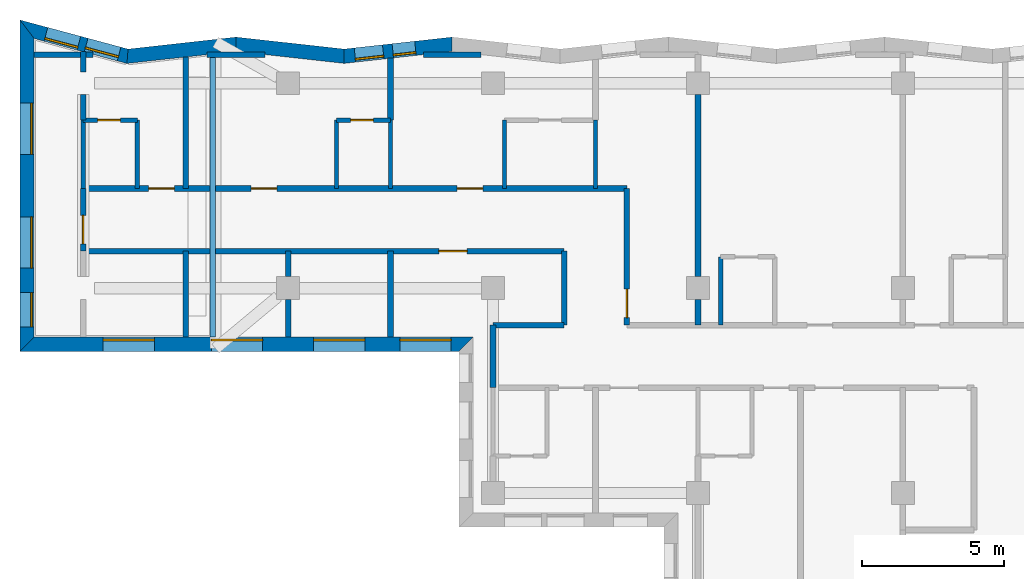
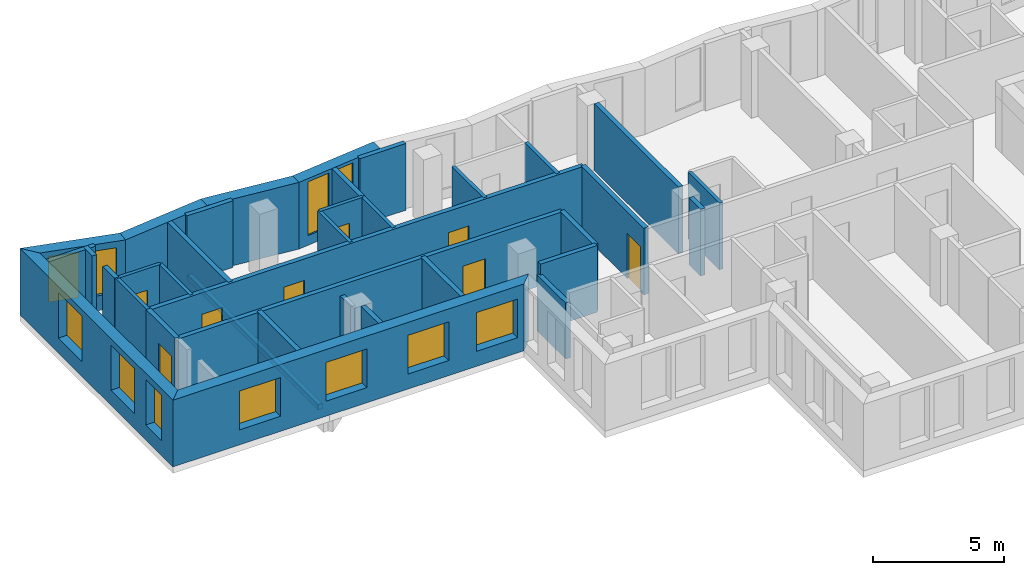
# One storey, part 5 of 13: 36 walls, 11 windows, 8 doors, 19 openings.
"""IFC4 building model written with IfcOpenShell, lengths in metres."""

from ifc_helpers import new_model, si_unit, direction, frame, frame_2d, origin, place, context, subcontext, project, spatial, polyline, rectangle, outline, extrude, material, layer, layer_set, type_object, element, fill, save


model = new_model("IFC4")

# Units and contexts
model_context = context("Model", 3, precision=1e-05, world=origin(), true_north=direction((0.0, 1.0)))
body_context = subcontext(model_context, "Body", "Model", "MODEL_VIEW")
ifc_project = project(units=[si_unit("LENGTHUNIT", "METRE"), si_unit("AREAUNIT", "SQUARE_METRE"), si_unit("VOLUMEUNIT", "CUBIC_METRE"), si_unit("PLANEANGLEUNIT", "RADIAN"), si_unit("MASSUNIT", "GRAM", prefix="KILO")], contexts=[model_context])

# Site, building, storey
site_placement = place(None, origin())
site = spatial("IfcSite", under=ifc_project, at=site_placement, CompositionType="ELEMENT")
building_placement = place(site_placement, origin())
building = spatial("IfcBuilding", under=site, at=building_placement, Name="Windrow Commons", CompositionType="ELEMENT")
storey_placement = place(building_placement, frame((0.0, 0.0, 203.2)))
storey = spatial("IfcBuildingStorey", under=building, at=storey_placement, Name="L55", CompositionType="ELEMENT", Elevation=203.2)

# Wall, openings, windows
ifc_material_1 = material(Name="Brick masonry, red clay brick", Category="masonry")
ifc_layer_1 = layer(ifc_material_1, 0.5)
ifc_layer_set_1 = layer_set([ifc_layer_1], Name="Brick facade wall 500")
wall_type_1 = type_object("IfcWallType", Name="Brick facade wall 500", PredefinedType="SOLIDWALL", material=ifc_layer_set_1)
wall_1_placement = place(storey_placement, frame((34.5643, 73.3695, 0.0), z_axis=(0.0, 0.0, 1.0), x_axis=(-0.993907338, -0.1102188888, 0.0)))
wall_1 = element("IfcWall", 1, at=wall_1_placement, inside=storey, type_object=wall_type_1, Name="Brick facade wall L55 29", PredefinedType="SOLIDWALL", context=body_context, shape_type="SweptSolid", body=[
    extrude(outline(polyline([(-0.0277, -0.25), (3.7919, -0.25), (3.8473, 0.25), (0.0277, 0.25), (-0.0277, -0.25)])), origin(), (0.0, 0.0, 1.0), 3.1),
])
opening_1_placement = place(wall_1_placement, frame((1.2983, 0.0, 0.45)))
opening_1 = element("IfcOpeningElement", 2, at=opening_1_placement, cuts=wall_1, Name="Opening W1N", PredefinedType="OPENING", context=body_context, shape_type="SweptSolid", body=[
    extrude(rectangle(XDim=0.8, YDim=2.5, at=frame_2d((0.4, 1.25))), frame((0.0, 0.26, 0.0), z_axis=(0.0, -1.0, 0.0), x_axis=(1.0, 0.0, 0.0)), (0.0, 0.0, 1.0), 0.52),
])
opening_2_placement = place(wall_1_placement, frame((2.4373, 0.0, 0.45)))
opening_2 = element("IfcOpeningElement", 3, at=opening_2_placement, cuts=wall_1, Name="Opening W1S", PredefinedType="OPENING", context=body_context, shape_type="SweptSolid", body=[
    extrude(rectangle(XDim=1.0, YDim=2.5, at=frame_2d((0.5, 1.25))), frame((0.0, 0.26, 0.0), z_axis=(0.0, -1.0, 0.0), x_axis=(1.0, 0.0, 0.0)), (0.0, 0.0, 1.0), 0.52),
])
ifc_material_2 = material(Name="Clear float glass in anodised aluminium frame", Category="aluminium")
window_type_1 = type_object("IfcWindowType", Name="Window W1N slit 800x2500", PartitioningType="SINGLE_PANEL", PredefinedType="WINDOW", material=ifc_material_2)
window_1_placement = place(opening_1_placement, origin())
window_1 = element("IfcWindow", 4, at=window_1_placement, inside=storey, type_object=window_type_1, Name="Window L55 29.1A", OverallHeight=2.5, OverallWidth=0.8, PartitioningType="SINGLE_PANEL", PredefinedType="WINDOW", context=body_context, shape_type="SweptSolid", body=[
    extrude(rectangle(XDim=0.8, YDim=2.5, at=frame_2d((0.4, 1.25))), frame((0.0, 0.18, 0.0), z_axis=(0.0, -1.0, 0.0), x_axis=(1.0, 0.0, 0.0)), (0.0, 0.0, 1.0), 0.06),
])
fill(opening_1, window_1)
ifc_material_3 = material(Name="Clear float glass in anodised aluminium frame", Category="aluminium")
window_type_2 = type_object("IfcWindowType", Name="Window W1S slit 1000x2500", PartitioningType="SINGLE_PANEL", PredefinedType="WINDOW", material=ifc_material_3)
window_2_placement = place(opening_2_placement, origin())
window_2 = element("IfcWindow", 5, at=window_2_placement, inside=storey, type_object=window_type_2, Name="Window L55 29.2A", OverallHeight=2.5, OverallWidth=1.0, PartitioningType="SINGLE_PANEL", PredefinedType="WINDOW", context=body_context, shape_type="SweptSolid", body=[
    extrude(rectangle(XDim=1.0, YDim=2.5, at=frame_2d((0.5, 1.25))), frame((0.0, 0.18, 0.0), z_axis=(0.0, -1.0, 0.0), x_axis=(1.0, 0.0, 0.0)), (0.0, 0.0, 1.0), 0.06),
])
fill(opening_2, window_2)

# Walls
wall_2_placement = place(storey_placement, frame((30.7679, 72.9485, 0.0), z_axis=(0.0, 0.0, 1.0), x_axis=(-0.99390702, 0.1102217568, 0.0)))
element("IfcWall", 6, at=wall_2_placement, inside=storey, type_object=wall_type_1, Name="Brick facade wall L55 30", PredefinedType="SOLIDWALL", context=body_context, shape_type="SweptSolid", body=[
    extrude(outline(polyline([(0.0277, -0.25), (3.8473, -0.25), (3.7919, 0.25), (-0.0277, 0.25), (0.0277, -0.25)])), origin(), (0.0, 0.0, 1.0), 3.1),
])
wall_3_placement = place(storey_placement, frame((26.9716, 73.3695, 0.0), z_axis=(0.0, 0.0, 1.0), x_axis=(-0.9939053168, -0.1102371135, 0.0)))
element("IfcWall", 7, at=wall_3_placement, inside=storey, type_object=wall_type_1, Name="Brick facade wall L55 31", PredefinedType="SOLIDWALL", context=body_context, shape_type="SweptSolid", body=[
    extrude(outline(polyline([(-0.0277, -0.25), (3.7919, -0.25), (3.8863, 0.25), (0.0277, 0.25), (-0.0277, -0.25)])), origin(), (0.0, 0.0, 1.0), 3.1),
])

# Wall, openings, windows
wall_4_placement = place(storey_placement, frame((23.156, 72.9463, 0.0), z_axis=(0.0, 0.0, 1.0), x_axis=(-0.9656828727, 0.2597240638, 0.0)))
wall_4 = element("IfcWall", 8, at=wall_4_placement, inside=storey, type_object=wall_type_1, Name="Brick facade wall L55 32", PredefinedType="SOLIDWALL", context=body_context, shape_type="SweptSolid", body=[
    extrude(outline(polyline([(0.0472, -0.25), (3.9784, -0.25), (3.3262, 0.25), (-0.0472, 0.25), (0.0472, -0.25)])), origin(), (0.0, 0.0, 1.0), 3.1),
])
opening_3_placement = place(wall_4_placement, frame((0.3056, 0.0, 0.7)))
opening_3 = element("IfcOpeningElement", 9, at=opening_3_placement, cuts=wall_4, Name="Opening W7B", PredefinedType="OPENING", context=body_context, shape_type="SweptSolid", body=[
    extrude(rectangle(XDim=1.2, YDim=2.1, at=frame_2d((0.6, 1.05))), frame((0.0, 0.26, 0.0), z_axis=(0.0, -1.0, 0.0), x_axis=(1.0, 0.0, 0.0)), (0.0, 0.0, 1.0), 0.52),
])
opening_4_placement = place(wall_4_placement, frame((1.7687, 0.0, 0.7)))
opening_4 = element("IfcOpeningElement", 10, at=opening_4_placement, cuts=wall_4, Name="Opening W7B", PredefinedType="OPENING", context=body_context, shape_type="SweptSolid", body=[
    extrude(rectangle(XDim=1.2, YDim=2.1, at=frame_2d((0.6, 1.05))), frame((0.0, 0.26, 0.0), z_axis=(0.0, -1.0, 0.0), x_axis=(1.0, 0.0, 0.0)), (0.0, 0.0, 1.0), 0.52),
])
ifc_material_4 = material(Name="Clear float glass in anodised aluminium frame", Category="aluminium")
window_type_3 = type_object("IfcWindowType", Name="Window W7 notch 1200x2100", PartitioningType="SINGLE_PANEL", PredefinedType="WINDOW", material=ifc_material_4)
window_3_placement = place(opening_3_placement, origin())
window_3 = element("IfcWindow", 11, at=window_3_placement, inside=storey, type_object=window_type_3, Name="Window L55 32.1", OverallHeight=2.1, OverallWidth=1.2, PartitioningType="SINGLE_PANEL", PredefinedType="WINDOW", context=body_context, shape_type="SweptSolid", body=[
    extrude(rectangle(XDim=1.2, YDim=2.1, at=frame_2d((0.6, 1.05))), frame((0.0, 0.13, 0.0), z_axis=(0.0, -1.0, 0.0), x_axis=(1.0, 0.0, 0.0)), (0.0, 0.0, 1.0), 0.06),
])
fill(opening_3, window_3)
window_4_placement = place(opening_4_placement, origin())
window_4 = element("IfcWindow", 12, at=window_4_placement, inside=storey, type_object=window_type_3, Name="Window L55 32.2", OverallHeight=2.1, OverallWidth=1.2, PartitioningType="SINGLE_PANEL", PredefinedType="WINDOW", context=body_context, shape_type="SweptSolid", body=[
    extrude(rectangle(XDim=1.2, YDim=2.1, at=frame_2d((0.6, 1.05))), frame((0.0, 0.18, 0.0), z_axis=(0.0, -1.0, 0.0), x_axis=(1.0, 0.0, 0.0)), (0.0, 0.0, 1.0), 0.06),
])
fill(opening_4, window_4)

wall_5_placement = place(storey_placement, frame((19.629, 73.8949, 0.0), z_axis=(0.0, 0.0, 1.0), x_axis=(0.0, -1.0, 0.0)))
wall_5 = element("IfcWall", 13, at=wall_5_placement, inside=storey, type_object=wall_type_1, Name="Brick facade wall L55 33", PredefinedType="SOLIDWALL", context=body_context, shape_type="SweptSolid", body=[
    extrude(outline(polyline([(-0.3261, -0.25), (11.3159, -0.25), (10.8159, 0.25), (0.3261, 0.25), (-0.3261, -0.25)])), origin(), (0.0, 0.0, 1.0), 3.1),
])
opening_5_placement = place(wall_5_placement, frame((2.5949, 0.0, 0.7)))
opening_5 = element("IfcOpeningElement", 14, at=opening_5_placement, cuts=wall_5, Name="Opening W1B", PredefinedType="OPENING", context=body_context, shape_type="SweptSolid", body=[
    extrude(rectangle(XDim=1.8, YDim=2.1, at=frame_2d((0.9, 1.05))), frame((0.0, 0.26, 0.0), z_axis=(0.0, -1.0, 0.0), x_axis=(1.0, 0.0, 0.0)), (0.0, 0.0, 1.0), 0.52),
])
opening_6_placement = place(wall_5_placement, frame((6.5949, 0.0, 0.7)))
opening_6 = element("IfcOpeningElement", 15, at=opening_6_placement, cuts=wall_5, Name="Opening W1B", PredefinedType="OPENING", context=body_context, shape_type="SweptSolid", body=[
    extrude(rectangle(XDim=1.8, YDim=2.1, at=frame_2d((0.9, 1.05))), frame((0.0, 0.26, 0.0), z_axis=(0.0, -1.0, 0.0), x_axis=(1.0, 0.0, 0.0)), (0.0, 0.0, 1.0), 0.52),
])
opening_7_placement = place(wall_5_placement, frame((9.2554, 0.0, 0.7)))
opening_7 = element("IfcOpeningElement", 16, at=opening_7_placement, cuts=wall_5, Name="Opening W7B", PredefinedType="OPENING", context=body_context, shape_type="SweptSolid", body=[
    extrude(rectangle(XDim=1.2, YDim=2.1, at=frame_2d((0.6, 1.05))), frame((0.0, 0.26, 0.0), z_axis=(0.0, -1.0, 0.0), x_axis=(1.0, 0.0, 0.0)), (0.0, 0.0, 1.0), 0.52),
])
ifc_material_5 = material(Name="Clear float glass in anodised aluminium frame", Category="aluminium")
window_type_4 = type_object("IfcWindowType", Name="Window W1 bedroom 1800x2100", PartitioningType="SINGLE_PANEL", PredefinedType="WINDOW", material=ifc_material_5)
window_5_placement = place(opening_5_placement, origin())
window_5 = element("IfcWindow", 17, at=window_5_placement, inside=storey, type_object=window_type_4, Name="Window L55 33.1", OverallHeight=2.1, OverallWidth=1.8, PartitioningType="SINGLE_PANEL", PredefinedType="WINDOW", context=body_context, shape_type="SweptSolid", body=[
    extrude(rectangle(XDim=1.8, YDim=2.1, at=frame_2d((0.9, 1.05))), frame((0.0, 0.18, 0.0), z_axis=(0.0, -1.0, 0.0), x_axis=(1.0, 0.0, 0.0)), (0.0, 0.0, 1.0), 0.06),
])
fill(opening_5, window_5)
window_6_placement = place(opening_6_placement, origin())
window_6 = element("IfcWindow", 18, at=window_6_placement, inside=storey, type_object=window_type_4, Name="Window L55 33.2", OverallHeight=2.1, OverallWidth=1.8, PartitioningType="SINGLE_PANEL", PredefinedType="WINDOW", context=body_context, shape_type="SweptSolid", body=[
    extrude(rectangle(XDim=1.8, YDim=2.1, at=frame_2d((0.9, 1.05))), frame((0.0, 0.18, 0.0), z_axis=(0.0, -1.0, 0.0), x_axis=(1.0, 0.0, 0.0)), (0.0, 0.0, 1.0), 0.06),
])
fill(opening_6, window_6)
window_7_placement = place(opening_7_placement, origin())
window_7 = element("IfcWindow", 19, at=window_7_placement, inside=storey, type_object=window_type_3, Name="Window L55 33.3", OverallHeight=2.1, OverallWidth=1.2, PartitioningType="SINGLE_PANEL", PredefinedType="WINDOW", context=body_context, shape_type="SweptSolid", body=[
    extrude(rectangle(XDim=1.2, YDim=2.1, at=frame_2d((0.6, 1.05))), frame((0.0, 0.18, 0.0), z_axis=(0.0, -1.0, 0.0), x_axis=(1.0, 0.0, 0.0)), (0.0, 0.0, 1.0), 0.06),
])
fill(opening_7, window_7)

wall_6_placement = place(storey_placement, frame((19.629, 62.829, 0.0), z_axis=(0.0, 0.0, 1.0), x_axis=(1.0, 0.0, 0.0)))
wall_6 = element("IfcWall", 20, at=wall_6_placement, inside=storey, type_object=wall_type_1, Name="Brick facade wall L55 34", PredefinedType="SOLIDWALL", context=body_context, shape_type="SweptSolid", body=[
    extrude(outline(polyline([(-0.25, -0.25), (15.171, -0.25), (15.671, 0.25), (0.25, 0.25), (-0.25, -0.25)])), origin(), (0.0, 0.0, 1.0), 3.1),
])
opening_8_placement = place(wall_6_placement, frame((2.671, 0.0, 0.7)))
opening_8 = element("IfcOpeningElement", 21, at=opening_8_placement, cuts=wall_6, Name="Opening W1M", PredefinedType="OPENING", context=body_context, shape_type="SweptSolid", body=[
    extrude(rectangle(XDim=1.8, YDim=1.8, at=frame_2d((0.9, 0.9))), frame((0.0, 0.26, 0.0), z_axis=(0.0, -1.0, 0.0), x_axis=(1.0, 0.0, 0.0)), (0.0, 0.0, 1.0), 0.52),
])
opening_9_placement = place(wall_6_placement, frame((6.471, 0.0, 0.7)))
opening_9 = element("IfcOpeningElement", 22, at=opening_9_placement, cuts=wall_6, Name="Opening W1M", PredefinedType="OPENING", context=body_context, shape_type="SweptSolid", body=[
    extrude(rectangle(XDim=1.8, YDim=1.8, at=frame_2d((0.9, 0.9))), frame((0.0, 0.26, 0.0), z_axis=(0.0, -1.0, 0.0), x_axis=(1.0, 0.0, 0.0)), (0.0, 0.0, 1.0), 0.52),
])
opening_10_placement = place(wall_6_placement, frame((10.071, 0.0, 0.7)))
opening_10 = element("IfcOpeningElement", 23, at=opening_10_placement, cuts=wall_6, Name="Opening W1M", PredefinedType="OPENING", context=body_context, shape_type="SweptSolid", body=[
    extrude(rectangle(XDim=1.8, YDim=1.8, at=frame_2d((0.9, 0.9))), frame((0.0, 0.26, 0.0), z_axis=(0.0, -1.0, 0.0), x_axis=(1.0, 0.0, 0.0)), (0.0, 0.0, 1.0), 0.52),
])
opening_11_placement = place(wall_6_placement, frame((13.096, 0.0, 0.7)))
opening_11 = element("IfcOpeningElement", 24, at=opening_11_placement, cuts=wall_6, Name="Opening W1M", PredefinedType="OPENING", context=body_context, shape_type="SweptSolid", body=[
    extrude(rectangle(XDim=1.8, YDim=1.8, at=frame_2d((0.9, 0.9))), frame((0.0, 0.26, 0.0), z_axis=(0.0, -1.0, 0.0), x_axis=(1.0, 0.0, 0.0)), (0.0, 0.0, 1.0), 0.52),
])
ifc_material_6 = material(Name="Clear float glass in anodised aluminium frame", Category="aluminium")
window_type_5 = type_object("IfcWindowType", Name="Window W1M bedroom 1800x1800", PartitioningType="SINGLE_PANEL", PredefinedType="WINDOW", material=ifc_material_6)
window_8_placement = place(opening_8_placement, origin())
window_8 = element("IfcWindow", 25, at=window_8_placement, inside=storey, type_object=window_type_5, Name="Window L55 34.1", OverallHeight=1.8, OverallWidth=1.8, PartitioningType="SINGLE_PANEL", PredefinedType="WINDOW", context=body_context, shape_type="SweptSolid", body=[
    extrude(rectangle(XDim=1.8, YDim=1.8, at=frame_2d((0.9, 0.9))), frame((0.0, 0.18, 0.0), z_axis=(0.0, -1.0, 0.0), x_axis=(1.0, 0.0, 0.0)), (0.0, 0.0, 1.0), 0.06),
])
fill(opening_8, window_8)
window_9_placement = place(opening_9_placement, origin())
window_9 = element("IfcWindow", 26, at=window_9_placement, inside=storey, type_object=window_type_5, Name="Window L55 34.2", OverallHeight=1.8, OverallWidth=1.8, PartitioningType="SINGLE_PANEL", PredefinedType="WINDOW", context=body_context, shape_type="SweptSolid", body=[
    extrude(rectangle(XDim=1.8, YDim=1.8, at=frame_2d((0.9, 0.9))), frame((0.0, 0.18, 0.0), z_axis=(0.0, -1.0, 0.0), x_axis=(1.0, 0.0, 0.0)), (0.0, 0.0, 1.0), 0.06),
])
fill(opening_9, window_9)
window_10_placement = place(opening_10_placement, origin())
window_10 = element("IfcWindow", 27, at=window_10_placement, inside=storey, type_object=window_type_5, Name="Window L55 34.3", OverallHeight=1.8, OverallWidth=1.8, PartitioningType="SINGLE_PANEL", PredefinedType="WINDOW", context=body_context, shape_type="SweptSolid", body=[
    extrude(rectangle(XDim=1.8, YDim=1.8, at=frame_2d((0.9, 0.9))), frame((0.0, 0.18, 0.0), z_axis=(0.0, -1.0, 0.0), x_axis=(1.0, 0.0, 0.0)), (0.0, 0.0, 1.0), 0.06),
])
fill(opening_10, window_10)
window_11_placement = place(opening_11_placement, origin())
window_11 = element("IfcWindow", 28, at=window_11_placement, inside=storey, type_object=window_type_5, Name="Window L55 34.4", OverallHeight=1.8, OverallWidth=1.8, PartitioningType="SINGLE_PANEL", PredefinedType="WINDOW", context=body_context, shape_type="SweptSolid", body=[
    extrude(rectangle(XDim=1.8, YDim=1.8, at=frame_2d((0.9, 0.9))), frame((0.0, 0.18, 0.0), z_axis=(0.0, -1.0, 0.0), x_axis=(1.0, 0.0, 0.0)), (0.0, 0.0, 1.0), 0.06),
])
fill(opening_11, window_11)

# Wall, openings, doors
ifc_material_7 = material(Name="Blockwork partition", Category="masonry")
ifc_layer_2 = layer(ifc_material_7, 0.2)
ifc_layer_set_2 = layer_set([ifc_layer_2], Name="IW-CORRIDOR-200")
wall_type_2 = type_object("IfcWallType", Name="IW-CORRIDOR-200", PredefinedType="PARTITIONING", material=ifc_layer_set_2)
wall_7_placement = place(storey_placement, frame((21.6, 68.3, 0.0), z_axis=(0.0, 0.0, 1.0), x_axis=(1.0, 0.0, 0.0)))
wall_7 = element("IfcWall", 29, at=wall_7_placement, inside=storey, type_object=wall_type_2, Name="W-L55-W002", PredefinedType="PARTITIONING", context=body_context, shape_type="SweptSolid", body=[
    extrude(rectangle(XDim=19.1, YDim=0.2, at=frame_2d((9.55, 0.0))), origin(), (0.0, 0.0, 1.0), 3.1),
])
opening_12_placement = place(wall_7_placement, frame((2.3, 0.0, 0.0)))
opening_12 = element("IfcOpeningElement", 30, at=opening_12_placement, cuts=wall_7, Name="Opening D109S", PredefinedType="OPENING", context=body_context, shape_type="SweptSolid", body=[
    extrude(rectangle(XDim=0.9, YDim=2.1, at=frame_2d((0.45, 1.05))), frame((0.0, 0.11, 0.0), z_axis=(0.0, -1.0, 0.0), x_axis=(1.0, 0.0, 0.0)), (0.0, 0.0, 1.0), 0.22),
])
opening_13_placement = place(wall_7_placement, frame((5.9006, 0.0, 0.0)))
opening_13 = element("IfcOpeningElement", 31, at=opening_13_placement, cuts=wall_7, Name="Opening D109F", PredefinedType="OPENING", context=body_context, shape_type="SweptSolid", body=[
    extrude(rectangle(XDim=0.9, YDim=2.1, at=frame_2d((0.45, 1.05))), frame((0.0, 0.11, 0.0), z_axis=(0.0, -1.0, 0.0), x_axis=(1.0, 0.0, 0.0)), (0.0, 0.0, 1.0), 0.22),
])
opening_14_placement = place(wall_7_placement, frame((13.1393, 0.0, 0.0)))
opening_14 = element("IfcOpeningElement", 32, at=opening_14_placement, cuts=wall_7, Name="Opening D109F", PredefinedType="OPENING", context=body_context, shape_type="SweptSolid", body=[
    extrude(rectangle(XDim=0.9, YDim=2.1, at=frame_2d((0.45, 1.05))), frame((0.0, 0.11, 0.0), z_axis=(0.0, -1.0, 0.0), x_axis=(1.0, 0.0, 0.0)), (0.0, 0.0, 1.0), 0.22),
])
ifc_material_8 = material(Name="Timber door leaf", Category="wood")
door_type_1 = type_object("IfcDoorType", Name="DT-BEDROOM-900", OperationType="SINGLE_SWING_LEFT", PredefinedType="DOOR", material=ifc_material_8)
door_1_placement = place(opening_12_placement, origin())
door_1 = element("IfcDoor", 33, at=door_1_placement, inside=storey, type_object=door_type_1, Name="D-L55-D002", OperationType="SINGLE_SWING_RIGHT", OverallHeight=2.1, OverallWidth=0.9, PredefinedType="DOOR", context=body_context, shape_type="SweptSolid", body=[
    extrude(rectangle(XDim=0.9, YDim=2.1, at=frame_2d((0.45, 1.05))), frame((0.0, 0.025, 0.0), z_axis=(0.0, -1.0, 0.0), x_axis=(1.0, 0.0, 0.0)), (0.0, 0.0, 1.0), 0.05),
])
fill(opening_12, door_1)
door_2_placement = place(opening_13_placement, origin())
door_2 = element("IfcDoor", 34, at=door_2_placement, inside=storey, type_object=door_type_1, Name="D-L55-D004", OperationType="SINGLE_SWING_LEFT", OverallHeight=2.1, OverallWidth=0.9, PredefinedType="DOOR", context=body_context, shape_type="SweptSolid", body=[
    extrude(rectangle(XDim=0.9, YDim=2.1, at=frame_2d((0.45, 1.05))), frame((0.0, 0.025, 0.0), z_axis=(0.0, -1.0, 0.0), x_axis=(1.0, 0.0, 0.0)), (0.0, 0.0, 1.0), 0.05),
])
fill(opening_13, door_2)
door_3_placement = place(opening_14_placement, origin())
door_3 = element("IfcDoor", 35, at=door_3_placement, inside=storey, type_object=door_type_1, Name="D-L55-D006", OperationType="SINGLE_SWING_LEFT", OverallHeight=2.1, OverallWidth=0.9, PredefinedType="DOOR", context=body_context, shape_type="SweptSolid", body=[
    extrude(rectangle(XDim=0.9, YDim=2.1, at=frame_2d((0.45, 1.05))), frame((0.0, 0.025, 0.0), z_axis=(0.0, -1.0, 0.0), x_axis=(1.0, 0.0, 0.0)), (0.0, 0.0, 1.0), 0.05),
])
fill(opening_14, door_3)

# Wall, opening, door
wall_8_placement = place(storey_placement, frame((21.6, 66.1, 0.0), z_axis=(0.0, 0.0, 1.0), x_axis=(1.0, 0.0, 0.0)))
wall_8 = element("IfcWall", 36, at=wall_8_placement, inside=storey, type_object=wall_type_2, Name="W-L55-W003", PredefinedType="PARTITIONING", context=body_context, shape_type="SweptSolid", body=[
    extrude(rectangle(XDim=16.9, YDim=0.2, at=frame_2d((8.45, 0.0))), origin(), (0.0, 0.0, 1.0), 3.1),
])
opening_15_placement = place(wall_8_placement, frame((12.4933, 0.0, 0.0)))
opening_15 = element("IfcOpeningElement", 37, at=opening_15_placement, cuts=wall_8, Name="Opening D310F", PredefinedType="OPENING", context=body_context, shape_type="SweptSolid", body=[
    extrude(rectangle(XDim=1.0, YDim=2.1, at=frame_2d((0.5, 1.05))), frame((0.0, 0.11, 0.0), z_axis=(0.0, -1.0, 0.0), x_axis=(1.0, 0.0, 0.0)), (0.0, 0.0, 1.0), 0.22),
])
ifc_material_9 = material(Name="Timber door leaf", Category="wood")
door_type_2 = type_object("IfcDoorType", Name="DT-AMENITY-1000", OperationType="SINGLE_SWING_LEFT", PredefinedType="DOOR", material=ifc_material_9)
door_4_placement = place(opening_15_placement, origin())
door_4 = element("IfcDoor", 38, at=door_4_placement, inside=storey, type_object=door_type_2, Name="D-L55-D011", OperationType="SINGLE_SWING_RIGHT", OverallHeight=2.1, OverallWidth=1.0, PredefinedType="DOOR", context=body_context, shape_type="SweptSolid", body=[
    extrude(rectangle(XDim=1.0, YDim=2.1, at=frame_2d((0.5, 1.05))), frame((0.0, 0.025, 0.0), z_axis=(0.0, -1.0, 0.0), x_axis=(1.0, 0.0, 0.0)), (0.0, 0.0, 1.0), 0.05),
])
fill(opening_15, door_4)

wall_9_placement = place(storey_placement, frame((40.7, 63.502, 0.0), z_axis=(0.0, 0.0, 1.0), x_axis=(0.0, 1.0, 0.0)))
wall_9 = element("IfcWall", 39, at=wall_9_placement, inside=storey, type_object=wall_type_2, Name="W-L55-W029", PredefinedType="PARTITIONING", context=body_context, shape_type="SweptSolid", body=[
    extrude(rectangle(XDim=4.798, YDim=0.2, at=frame_2d((2.399, 0.0))), origin(), (0.0, 0.0, 1.0), 3.1),
])
opening_16_placement = place(wall_9_placement, frame((0.2621, 0.0, 0.0)))
opening_16 = element("IfcOpeningElement", 40, at=opening_16_placement, cuts=wall_9, Name="Opening D310F", PredefinedType="OPENING", context=body_context, shape_type="SweptSolid", body=[
    extrude(rectangle(XDim=1.0, YDim=2.1, at=frame_2d((0.5, 1.05))), frame((0.0, 0.11, 0.0), z_axis=(0.0, -1.0, 0.0), x_axis=(1.0, 0.0, 0.0)), (0.0, 0.0, 1.0), 0.22),
])
door_5_placement = place(opening_16_placement, origin())
door_5 = element("IfcDoor", 41, at=door_5_placement, inside=storey, type_object=door_type_2, Name="D-L55-D014", OperationType="SINGLE_SWING_LEFT", OverallHeight=2.1, OverallWidth=1.0, PredefinedType="DOOR", context=body_context, shape_type="SweptSolid", body=[
    extrude(rectangle(XDim=1.0, YDim=2.1, at=frame_2d((0.5, 1.05))), frame((0.0, 0.025, 0.0), z_axis=(0.0, -1.0, 0.0), x_axis=(1.0, 0.0, 0.0)), (0.0, 0.0, 1.0), 0.05),
])
fill(opening_16, door_5)

# Walls
wall_10_placement = place(storey_placement, frame((38.5, 63.502, 0.0), z_axis=(0.0, 0.0, 1.0), x_axis=(0.0, 1.0, 0.0)))
element("IfcWall", 42, at=wall_10_placement, inside=storey, type_object=wall_type_2, Name="W-L55-W053", PredefinedType="PARTITIONING", context=body_context, shape_type="SweptSolid", body=[
    extrude(rectangle(XDim=2.596, YDim=0.2, at=frame_2d((1.298, 0.0))), origin(), (0.0, 0.0, 1.0), 3.1),
])
wall_11_placement = place(storey_placement, frame((36.002, 63.5, 0.0), z_axis=(0.0, 0.0, 1.0), x_axis=(1.0, 0.0, 0.0)))
element("IfcWall", 43, at=wall_11_placement, inside=storey, type_object=wall_type_2, Name="W-L55-W058", PredefinedType="PARTITIONING", context=body_context, shape_type="SweptSolid", body=[
    extrude(rectangle(XDim=2.498, YDim=0.2, at=frame_2d((1.249, 0.0))), origin(), (0.0, 0.0, 1.0), 3.1),
])

# Wall, opening, door
wall_12_placement = place(storey_placement, frame((21.6, 66.1, 0.0), z_axis=(0.0, 0.0, 1.0), x_axis=(0.0, 1.0, 0.0)))
wall_12 = element("IfcWall", 44, at=wall_12_placement, inside=storey, type_object=wall_type_2, Name="W-L55-W092", PredefinedType="PARTITIONING", context=body_context, shape_type="SweptSolid", body=[
    extrude(rectangle(XDim=2.2, YDim=0.2, at=frame_2d((1.1, 0.0))), origin(), (0.0, 0.0, 1.0), 3.1),
])
opening_17_placement = place(wall_12_placement, frame((0.2533, 0.0, 0.0)))
opening_17 = element("IfcOpeningElement", 45, at=opening_17_placement, cuts=wall_12, Name="Opening D310F", PredefinedType="OPENING", context=body_context, shape_type="SweptSolid", body=[
    extrude(rectangle(XDim=1.0, YDim=2.1, at=frame_2d((0.5, 1.05))), frame((0.0, 0.11, 0.0), z_axis=(0.0, -1.0, 0.0), x_axis=(1.0, 0.0, 0.0)), (0.0, 0.0, 1.0), 0.22),
])
door_6_placement = place(opening_17_placement, origin())
door_6 = element("IfcDoor", 46, at=door_6_placement, inside=storey, type_object=door_type_2, Name="D-L55-D001", OperationType="SINGLE_SWING_RIGHT", OverallHeight=2.1, OverallWidth=1.0, PredefinedType="DOOR", context=body_context, shape_type="SweptSolid", body=[
    extrude(rectangle(XDim=1.0, YDim=2.1, at=frame_2d((0.5, 1.05))), frame((0.0, 0.025, 0.0), z_axis=(0.0, -1.0, 0.0), x_axis=(1.0, 0.0, 0.0)), (0.0, 0.0, 1.0), 0.05),
])
fill(opening_17, door_6)

# Walls
wall_13_placement = place(storey_placement, frame((36.0, 61.3, 0.0), z_axis=(0.0, 0.0, 1.0), x_axis=(0.0, 1.0, 0.0)))
element("IfcWall", 47, at=wall_13_placement, inside=storey, type_object=wall_type_2, Name="W-L55-W093", PredefinedType="PARTITIONING", context=body_context, shape_type="SweptSolid", body=[
    extrude(rectangle(XDim=2.2, YDim=0.2, at=frame_2d((1.1, 0.0))), origin(), (0.0, 0.0, 1.0), 2.6),
])
ifc_material_10 = material(Name="Blockwork partition", Category="masonry")
ifc_layer_3 = layer(ifc_material_10, 0.15)
ifc_layer_set_3 = layer_set([ifc_layer_3], Name="IW-ENSUITE-150")
wall_type_3 = type_object("IfcWallType", Name="IW-ENSUITE-150", PredefinedType="PARTITIONING", material=ifc_layer_set_3)
for number, where, z_axis, x_axis, name in (
    (48, (21.6, 68.3, 0.0), (0.0, 0.0, 1.0), (0.0, 1.0, 0.0), "W-L55-W062"),
    (49, (23.5, 68.3, 0.0), (0.0, 0.0, 1.0), (0.0, 1.0, 0.0), "W-L55-W063"),
    (50, (30.5, 68.3, 0.0), (0.0, 0.0, 1.0), (0.0, 1.0, 0.0), "W-L55-W064"),
    (51, (32.4, 68.3, 0.0), (0.0, 0.0, 1.0), (0.0, 1.0, 0.0), "W-L55-W065"),
    (52, (36.4, 68.3, 0.0), (0.0, 0.0, 1.0), (0.0, 1.0, 0.0), "W-L55-W066"),
    (53, (39.6, 68.3, 0.0), (0.0, 0.0, 1.0), (0.0, 1.0, 0.0), "W-L55-W067"),
    (54, (44.0, 63.5, 0.0), (0.0, 0.0, 1.0), (0.0, 1.0, 0.0), "W-L55-W068"),
):
    element("IfcWall", number, at=place(storey_placement, frame(where, z_axis=z_axis, x_axis=x_axis)), inside=storey, type_object=wall_type_3, Name=name, PredefinedType="PARTITIONING", context=body_context, shape_type="SweptSolid", body=[
        extrude(rectangle(XDim=2.4, YDim=0.15, at=frame_2d((1.2, 0.0))), origin(), (0.0, 0.0, 1.0), 3.1),
    ])

# Wall, opening, door
wall_14_placement = place(storey_placement, frame((21.6, 70.7, 0.0), z_axis=(0.0, 0.0, 1.0), x_axis=(1.0, 0.0, 0.0)))
wall_14 = element("IfcWall", 55, at=wall_14_placement, inside=storey, type_object=wall_type_3, Name="W-L55-W113", PredefinedType="PARTITIONING", context=body_context, shape_type="SweptSolid", body=[
    extrude(rectangle(XDim=1.9, YDim=0.15, at=frame_2d((0.95, 0.0))), origin(), (0.0, 0.0, 1.0), 3.1),
])
opening_18_placement = place(wall_14_placement, frame((0.5021, 0.0, 0.0)))
opening_18 = element("IfcOpeningElement", 56, at=opening_18_placement, cuts=wall_14, Name="Opening D208N", PredefinedType="OPENING", context=body_context, shape_type="SweptSolid", body=[
    extrude(rectangle(XDim=0.8, YDim=2.1, at=frame_2d((0.4, 1.05))), frame((0.0, 0.085, 0.0), z_axis=(0.0, -1.0, 0.0), x_axis=(1.0, 0.0, 0.0)), (0.0, 0.0, 1.0), 0.17),
])
ifc_material_11 = material(Name="Timber door leaf", Category="wood")
door_type_3 = type_object("IfcDoorType", Name="DT-ENSUITE-800", OperationType="SINGLE_SWING_LEFT", PredefinedType="DOOR", material=ifc_material_11)
door_7_placement = place(opening_18_placement, origin())
door_7 = element("IfcDoor", 57, at=door_7_placement, inside=storey, type_object=door_type_3, Name="D-L55-D003", OperationType="SINGLE_SWING_RIGHT", OverallHeight=2.1, OverallWidth=0.8, PredefinedType="DOOR", context=body_context, shape_type="SweptSolid", body=[
    extrude(rectangle(XDim=0.8, YDim=2.1, at=frame_2d((0.4, 1.05))), frame((0.0, 0.025, 0.0), z_axis=(0.0, -1.0, 0.0), x_axis=(1.0, 0.0, 0.0)), (0.0, 0.0, 1.0), 0.05),
])
fill(opening_18, door_7)

wall_15_placement = place(storey_placement, frame((30.5, 70.7, 0.0), z_axis=(0.0, 0.0, 1.0), x_axis=(1.0, 0.0, 0.0)))
wall_15 = element("IfcWall", 58, at=wall_15_placement, inside=storey, type_object=wall_type_3, Name="W-L55-W114", PredefinedType="PARTITIONING", context=body_context, shape_type="SweptSolid", body=[
    extrude(rectangle(XDim=1.9, YDim=0.15, at=frame_2d((0.95, 0.0))), origin(), (0.0, 0.0, 1.0), 3.1),
])
opening_19_placement = place(wall_15_placement, frame((0.4931, 0.0, 0.0)))
opening_19 = element("IfcOpeningElement", 59, at=opening_19_placement, cuts=wall_15, Name="Opening D208N", PredefinedType="OPENING", context=body_context, shape_type="SweptSolid", body=[
    extrude(rectangle(XDim=0.8, YDim=2.1, at=frame_2d((0.4, 1.05))), frame((0.0, 0.085, 0.0), z_axis=(0.0, -1.0, 0.0), x_axis=(1.0, 0.0, 0.0)), (0.0, 0.0, 1.0), 0.17),
])
door_8_placement = place(opening_19_placement, origin())
door_8 = element("IfcDoor", 60, at=door_8_placement, inside=storey, type_object=door_type_3, Name="D-L55-D005", OperationType="SINGLE_SWING_RIGHT", OverallHeight=2.1, OverallWidth=0.8, PredefinedType="DOOR", context=body_context, shape_type="SweptSolid", body=[
    extrude(rectangle(XDim=0.8, YDim=2.1, at=frame_2d((0.4, 1.05))), frame((0.0, 0.025, 0.0), z_axis=(0.0, -1.0, 0.0), x_axis=(1.0, 0.0, 0.0)), (0.0, 0.0, 1.0), 0.05),
])
fill(opening_19, door_8)

# Walls
ifc_material_12 = material(Name="Blockwork partition", Category="masonry")
ifc_layer_4 = layer(ifc_material_12, 0.2)
ifc_layer_set_4 = layer_set([ifc_layer_4], Name="IW-PARTY-200")
wall_type_4 = type_object("IfcWallType", Name="IW-PARTY-200", PredefinedType="PARTITIONING", material=ifc_layer_set_4)
wall_16_placement = place(storey_placement, frame((43.2, 65.2, 0.0), z_axis=(0.0, 0.0, 1.0), x_axis=(0.0, 1.0, 0.0)))
element("IfcWall", 61, at=wall_16_placement, inside=storey, type_object=wall_type_4, Name="W-L55-W021", PredefinedType="PARTITIONING", context=body_context, shape_type="SweptSolid", body=[
    extrude(rectangle(XDim=6.4, YDim=0.2, at=frame_2d((3.2, 0.0))), origin(), (0.0, 0.0, 1.0), 3.1),
])
wall_17_placement = place(storey_placement, frame((25.2, 68.3, 0.0), z_axis=(0.0, 0.0, 1.0), x_axis=(0.0, 1.0, 0.0)))
element("IfcWall", 62, at=wall_17_placement, inside=storey, type_object=wall_type_4, Name="W-L55-W037", PredefinedType="PARTITIONING", context=body_context, shape_type="SweptSolid", body=[
    extrude(rectangle(XDim=4.6215, YDim=0.2, at=frame_2d((2.3108, 0.0))), origin(), (0.0, 0.0, 1.0), 3.1),
])
for number, where, z_axis, x_axis, name in (
    (63, (25.2, 63.079, 0.0), (0.0, 0.0, 1.0), (0.0, 1.0, 0.0), "W-L55-W051"),
    (64, (32.4, 63.079, 0.0), (0.0, 0.0, 1.0), (0.0, 1.0, 0.0), "W-L55-W052"),
):
    element("IfcWall", number, at=place(storey_placement, frame(where, z_axis=z_axis, x_axis=x_axis)), inside=storey, type_object=wall_type_4, Name=name, PredefinedType="PARTITIONING", context=body_context, shape_type="SweptSolid", body=[
        extrude(rectangle(XDim=3.021, YDim=0.2, at=frame_2d((1.5105, 0.0))), origin(), (0.0, 0.0, 1.0), 3.1),
    ])
wall_18_placement = place(storey_placement, frame((32.4, 70.7, 0.0), z_axis=(0.0, 0.0, 1.0), x_axis=(0.0, 1.0, 0.0)))
element("IfcWall", 65, at=wall_18_placement, inside=storey, type_object=wall_type_4, Name="W-L55-W097", PredefinedType="PARTITIONING", context=body_context, shape_type="SweptSolid", body=[
    extrude(rectangle(XDim=2.1779, YDim=0.2, at=frame_2d((1.089, 0.0))), origin(), (0.0, 0.0, 1.0), 3.1),
])
for number, where, z_axis, x_axis, name in (
    (66, (33.5508, 73.0, 0.0), (0.0, 0.0, 1.0), (1.0, 0.0, 0.0), "W-L55-W100"),
    (67, (25.9582, 73.0, 0.0), (0.0, 0.0, 1.0), (1.0, 0.0, 0.0), "W-L55-W106"),
):
    element("IfcWall", number, at=place(storey_placement, frame(where, z_axis=z_axis, x_axis=x_axis)), inside=storey, type_object=wall_type_4, Name=name, PredefinedType="PARTITIONING", context=body_context, shape_type="SweptSolid", body=[
        extrude(rectangle(XDim=2.0269, YDim=0.2, at=frame_2d((1.0134, 0.0))), origin(), (0.0, 0.0, 1.0), 3.1),
    ])
wall_19_placement = place(storey_placement, frame((19.879, 73.0, 0.0), z_axis=(0.0, 0.0, 1.0), x_axis=(1.0, 0.0, 0.0)))
element("IfcWall", 68, at=wall_19_placement, inside=storey, type_object=wall_type_4, Name="W-L55-W108", PredefinedType="PARTITIONING", context=body_context, shape_type="SweptSolid", body=[
    extrude(rectangle(XDim=2.0648, YDim=0.2, at=frame_2d((1.0324, 0.0))), origin(), (0.0, 0.0, 1.0), 3.1),
])
wall_20_placement = place(storey_placement, frame((28.8, 63.079, 0.0), z_axis=(0.0, 0.0, 1.0), x_axis=(0.0, 1.0, 0.0)))
element("IfcWall", 69, at=wall_20_placement, inside=storey, type_object=wall_type_4, Name="W-L55-W134", PredefinedType="PARTITIONING", context=body_context, shape_type="SweptSolid", body=[
    extrude(rectangle(XDim=1.321, YDim=0.2, at=frame_2d((0.6605, 0.0))), origin(), (0.0, 0.0, 1.0), 3.1),
])
for number, where, z_axis, x_axis, name in (
    (70, (43.2, 63.5, 0.0), (0.0, 0.0, 1.0), (0.0, 1.0, 0.0), "W-L55-W138"),
    (71, (21.6, 70.7, 0.0), (0.0, 0.0, 1.0), (0.0, 1.0, 0.0), "W-L55-W146"),
):
    element("IfcWall", number, at=place(storey_placement, frame(where, z_axis=z_axis, x_axis=x_axis)), inside=storey, type_object=wall_type_4, Name=name, PredefinedType="PARTITIONING", context=body_context, shape_type="SweptSolid", body=[
        extrude(rectangle(XDim=0.9, YDim=0.2, at=frame_2d((0.45, 0.0))), origin(), (0.0, 0.0, 1.0), 3.1),
    ])
wall_21_placement = place(storey_placement, frame((28.8, 65.2, 0.0), z_axis=(0.0, 0.0, 1.0), x_axis=(0.0, 1.0, 0.0)))
element("IfcWall", 72, at=wall_21_placement, inside=storey, type_object=wall_type_4, Name="W-L55-W147", PredefinedType="PARTITIONING", context=body_context, shape_type="SweptSolid", body=[
    extrude(rectangle(XDim=0.9, YDim=0.2, at=frame_2d((0.45, 0.0))), origin(), (0.0, 0.0, 1.0), 2.6),
])
wall_22_placement = place(storey_placement, frame((21.6, 72.4, 0.0), z_axis=(0.0, 0.0, 1.0), x_axis=(0.0, 1.0, 0.0)))
element("IfcWall", 73, at=wall_22_placement, inside=storey, type_object=wall_type_4, Name="W-L55-W153", PredefinedType="PARTITIONING", context=body_context, shape_type="SweptSolid", body=[
    extrude(rectangle(XDim=0.7059, YDim=0.2, at=frame_2d((0.3529, 0.0))), origin(), (0.0, 0.0, 1.0), 3.1),
])
ifc_material_13 = material(Name="Brick masonry, red clay brick", Category="masonry")
ifc_layer_5 = layer(ifc_material_13, 0.2)
ifc_layer_set_5 = layer_set([ifc_layer_5], Name="Terrace edge parapet 200")
wall_type_5 = type_object("IfcWallType", Name="Terrace edge parapet 200", PredefinedType="PARAPET", material=ifc_layer_set_5)
wall_23_placement = place(storey_placement, frame((26.149, 63.079, 0.0), z_axis=(0.0, 0.0, 1.0), x_axis=(0.0, 1.0, 0.0)))
element("IfcWall", 74, at=wall_23_placement, inside=storey, type_object=wall_type_5, Name="Terrace parapet TR-L55-1.1.1", PredefinedType="PARAPET", context=body_context, shape_type="SweptSolid", body=[
    extrude(outline(polyline([(0.0, -0.1), (9.9477, -0.1), (9.9477, 0.1), (0.0, 0.1), (0.0, -0.1)])), origin(), (0.0, 0.0, 1.0), 0.25),
])

save(model, "model.ifc")
